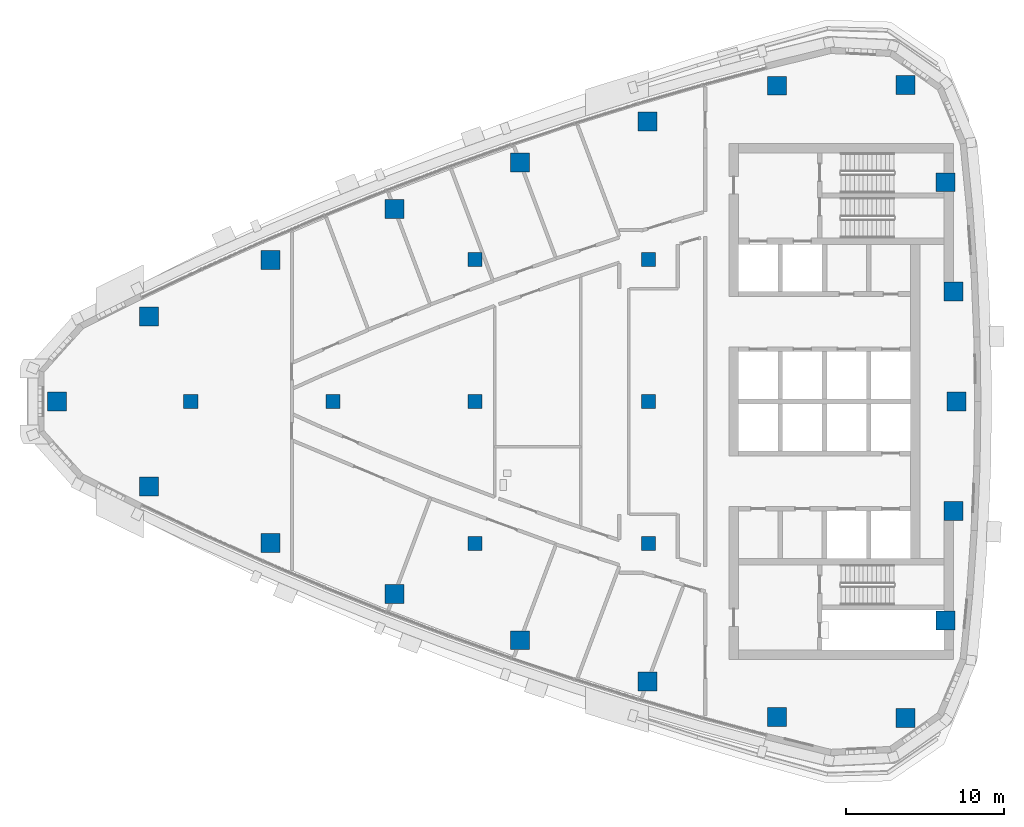
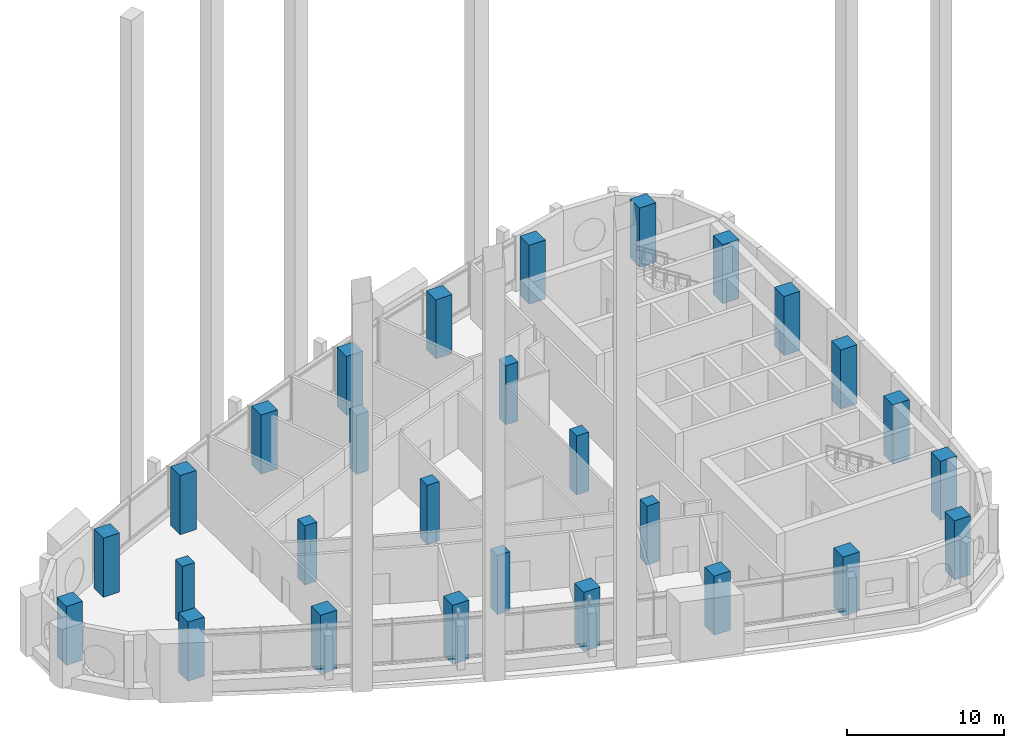
# One storey, part 1 of 15: 28 columns.
"""IFC4 building model written with IfcOpenShell, lengths in metres."""

from ifc_helpers import new_model, si_unit, direction, frame, origin, origin_2d, place, context, subcontext, project, spatial, rectangle, extrude, material, material_profile, profile_set, type_object, element, save


model = new_model("IFC4")

# Units and contexts
model_context = context("Model", 3, precision=1e-05, world=origin(), true_north=direction((0.0, 1.0)))
body_context = subcontext(model_context, "Body", "Model", "MODEL_VIEW")
ifc_project = project(units=[si_unit("LENGTHUNIT", "METRE"), si_unit("AREAUNIT", "SQUARE_METRE"), si_unit("VOLUMEUNIT", "CUBIC_METRE"), si_unit("PLANEANGLEUNIT", "RADIAN"), si_unit("MASSUNIT", "GRAM", prefix="KILO")], contexts=[model_context])

# Site, building, storey
site_placement = place(None, origin())
site = spatial("IfcSite", under=ifc_project, at=site_placement, CompositionType="ELEMENT")
building_placement = place(site_placement, origin())
building = spatial("IfcBuilding", under=site, at=building_placement, Name="Ostrand Prow Hotel Tower", CompositionType="ELEMENT")
storey_placement = place(building_placement, frame((0.0, 0.0, 216.199951171875)))
storey = spatial("IfcBuildingStorey", under=building, at=storey_placement, Name="L54", CompositionType="ELEMENT", Elevation=216.199951171875)

# Columns
ifc_material_1 = material(Name="Concrete C50/60", Category="concrete")
ifc_material_profile_1 = material_profile(ifc_material_1, rectangle(XDim=0.89990234375, YDim=0.89990234375, at=origin_2d()), Name="RC 900x900")
ifc_profile_set_1 = profile_set([ifc_material_profile_1], Name="Concrete C50/60")
column_type_1 = type_object("IfcColumnType", Name="Interior column 900x900 C50/60", PredefinedType="COLUMN", material=ifc_profile_set_1)
for number, where, z_axis, x_axis, name in (
    (1, (16.0, 0.0, 0.0), (0.0, 0.0, 1.0), (1.0, 0.0, 0.0), "Interior column 16C0"),
    (2, (25.0, 0.0, 0.0), (0.0, 0.0, 1.0), (1.0, 0.0, 0.0), "Interior column 25C0"),
    (3, (34.0, -9.0, 0.0), (0.0, 0.0, 1.0), (1.0, 0.0, 0.0), "Interior column 34S9"),
    (4, (34.0, 0.0, 0.0), (0.0, 0.0, 1.0), (1.0, 0.0, 0.0), "Interior column 34C0"),
    (5, (34.0, 9.0, 0.0), (0.0, 0.0, 1.0), (1.0, 0.0, 0.0), "Interior column 34N9"),
    (6, (45.0, -9.0, 0.0), (0.0, 0.0, 1.0), (1.0, 0.0, 0.0), "Interior column 45S9"),
    (7, (45.0, 0.0, 0.0), (0.0, 0.0, 1.0), (1.0, 0.0, 0.0), "Interior column 45C0"),
    (8, (45.0, 9.0, 0.0), (0.0, 0.0, 1.0), (1.0, 0.0, 0.0), "Interior column 45N9"),
):
    element("IfcColumn", number, at=place(storey_placement, frame(where, z_axis=z_axis, x_axis=x_axis)), inside=storey, type_object=column_type_1, Name=name, PredefinedType="COLUMN", context=body_context, shape_type="SweptSolid", body=[
        extrude(rectangle(XDim=0.89990234375, YDim=0.89990234375, at=origin_2d()), origin(), (0.0, 0.0, 1.0), 4.60009765625),
    ])
ifc_material_2 = material(Name="Concrete C50/60", Category="concrete")
ifc_material_profile_2 = material_profile(ifc_material_2, rectangle(XDim=1.199951171875, YDim=1.199951171875, at=origin_2d()), Name="RC 1200x1200")
ifc_profile_set_2 = profile_set([ifc_material_profile_2], Name="Concrete C50/60")
column_type_2 = type_object("IfcColumnType", Name="Stone-faced mega column 1200x1200 C50/60", PredefinedType="COLUMN", material=ifc_profile_set_2)
for number, where, z_axis, x_axis, name in (
    (9, (7.513916015625, 0.0, 0.0), (0.0, 0.0, 1.0), (1.0, 0.0, 0.0), "Mega column P"),
    (10, (13.356201171875, -5.392822265625, 0.0), (0.0, 0.0, 1.0), (1.0, 0.0, 0.0), "Mega column S1"),
    (11, (21.05859375, -8.95751953125, 0.0), (0.0, 0.0, 1.0), (1.0, 0.0, 0.0), "Mega column S2"),
    (12, (28.900146484375, -12.205322265625, 0.0), (0.0, 0.0, 1.0), (1.0, 0.0, 0.0), "Mega column S3"),
    (13, (36.8671875, -15.131591796875, 0.0), (0.0, 0.0, 1.0), (1.0, 0.0, 0.0), "Mega column S4"),
    (14, (44.94677734375, -17.731201171875, 0.0), (0.0, 0.0, 1.0), (1.0, 0.0, 0.0), "Mega column S5"),
    (15, (53.12548828125, -19.99951171875, 0.0), (0.0, 0.0, 1.0), (1.0, 0.0, 0.0), "Mega column S6"),
    (16, (61.283935546875, -20.06201171875, 0.0), (0.0, 0.0, 1.0), (1.0, 0.0, 0.0), "Mega column SE"),
    (17, (63.826416015625, -13.887939453125, 0.0), (0.0, 0.0, 1.0), (1.0, 0.0, 0.0), "Mega column B1"),
    (18, (64.33154296875, -6.9521484375, 0.0), (0.0, 0.0, 1.0), (1.0, 0.0, 0.0), "Mega column B2"),
    (19, (64.5, 0.0, 0.0), (0.0, 0.0, 1.0), (1.0, 0.0, 0.0), "Mega column B3"),
    (20, (64.33154296875, 6.9521484375, 0.0), (0.0, 0.0, 1.0), (1.0, 0.0, 0.0), "Mega column B4"),
    (21, (63.826416015625, 13.887939453125, 0.0), (0.0, 0.0, 1.0), (1.0, 0.0, 0.0), "Mega column B5"),
    (22, (61.283935546875, 20.06201171875, 0.0), (0.0, 0.0, 1.0), (1.0, 0.0, 0.0), "Mega column NE"),
    (23, (53.12548828125, 19.99951171875, 0.0), (0.0, 0.0, 1.0), (1.0, 0.0, 0.0), "Mega column N1"),
    (24, (44.94677734375, 17.731201171875, 0.0), (0.0, 0.0, 1.0), (1.0, 0.0, 0.0), "Mega column N2"),
    (25, (36.8671875, 15.131591796875, 0.0), (0.0, 0.0, 1.0), (1.0, 0.0, 0.0), "Mega column N3"),
    (26, (28.900146484375, 12.205322265625, 0.0), (0.0, 0.0, 1.0), (1.0, 0.0, 0.0), "Mega column N4"),
    (27, (21.05859375, 8.95751953125, 0.0), (0.0, 0.0, 1.0), (1.0, 0.0, 0.0), "Mega column N5"),
    (28, (13.356201171875, 5.392822265625, 0.0), (0.0, 0.0, 1.0), (1.0, 0.0, 0.0), "Mega column N6"),
):
    element("IfcColumn", number, at=place(storey_placement, frame(where, z_axis=z_axis, x_axis=x_axis)), inside=storey, type_object=column_type_2, Name=name, PredefinedType="COLUMN", context=body_context, shape_type="SweptSolid", body=[
        extrude(rectangle(XDim=1.199951171875, YDim=1.199951171875, at=origin_2d()), origin(), (0.0, 0.0, 1.0), 4.60009765625),
    ])

save(model, "model.ifc")
